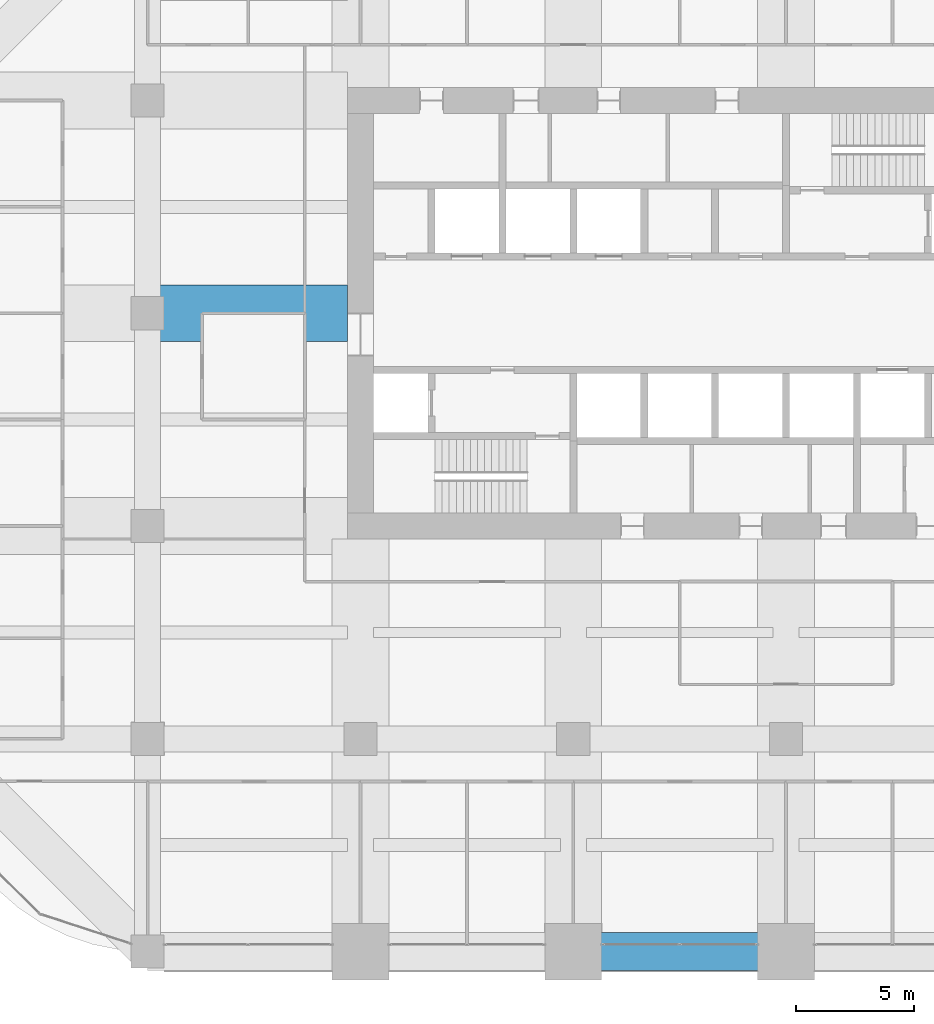
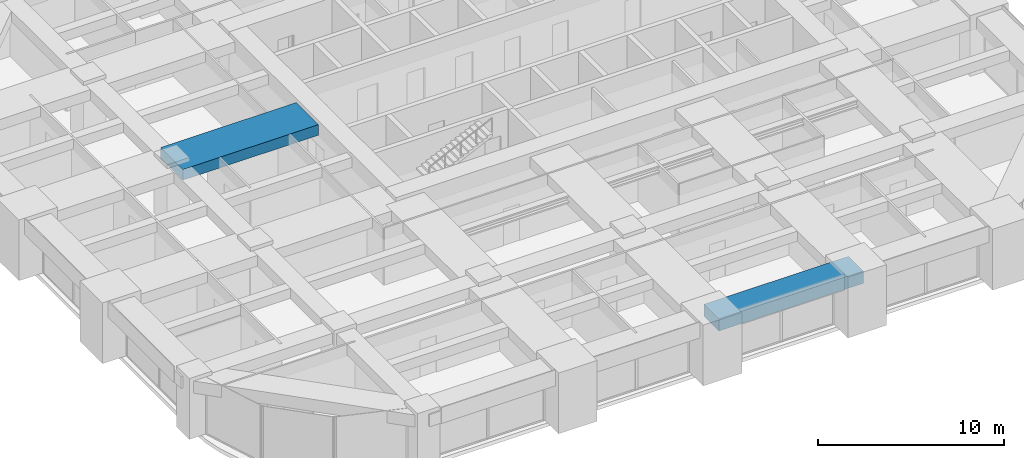
# One storey, part 12 of 35: 2 beams.
"""IFC4 building model written with IfcOpenShell, lengths in metres."""

import ifcopenshell
import ifcopenshell.guid

model = None  # the IFC model being written
_history = None  # IfcOwnerHistory: only IFC2X3 demands one
_inside = {}  # id of a spatial element -> (the spatial element, [elements in it])
_under = {}  # id of a project, library or spatial element -> (it, [spatial elements below it])
_declared = {}  # id of a project -> (the project, [libraries it declares])
_typed = {}  # id of a type object -> (the type object, [elements of that type])
_made_of = {}  # id of a material, layer set ... -> (it, [elements and type objects made of it])


def new_model(schema):
    """Start an empty IFC model of exactly this schema.

    Asked for "IFC4X3", IfcOpenShell would pick the latest addendum, in which some entities
    have other attributes; the version numbers below select the first issue.
    IFC2X3 requires an IfcOwnerHistory on every rooted entity: one is made here for all.
    """
    global model, _history
    if schema == "IFC4X3":
        model = ifcopenshell.file(schema_version=(4, 3, 0, 0))
    else:
        model = ifcopenshell.file(schema=schema)
    _inside.clear()
    _under.clear()
    _declared.clear()
    _typed.clear()
    _made_of.clear()
    _history = None
    if model.schema == "IFC2X3":
        org = make("IfcOrganization", Name="unknown")
        user = make(
            "IfcPersonAndOrganization",
            ThePerson=make("IfcPerson", FamilyName="unknown"),
            TheOrganization=org,
        )
        app = make(
            "IfcApplication",
            ApplicationDeveloper=org,
            Version="unknown",
            ApplicationFullName="unknown",
            ApplicationIdentifier="unknown",
        )
        _history = make(
            "IfcOwnerHistory",
            OwningUser=user,
            OwningApplication=app,
            ChangeAction="ADDED",
            CreationDate=0,
        )
    return model


def make(cls, **values):
    """One entity of the class cls with the attributes given. An attribute that is None is left unset."""
    return model.create_entity(
        cls, **{name: value for name, value in values.items() if value is not None}
    )


def rooted(cls, **values):
    """An entity with a GlobalId (a new one), such as an element, a storey or a relation."""
    return make(cls, GlobalId=ifcopenshell.guid.new(), OwnerHistory=_history, **values)


def si_unit(unit_type, name, prefix=None):
    """IfcSIUnit, for example si_unit("LENGTHUNIT", "METRE", prefix="MILLI")."""
    return make("IfcSIUnit", UnitType=unit_type, Prefix=prefix, Name=name)


def assignment(units):
    """IfcUnitAssignment: the units of a project."""
    return None if units is None else make("IfcUnitAssignment", Units=units)


def point(xyz):
    """IfcCartesianPoint."""
    return None if xyz is None else make("IfcCartesianPoint", Coordinates=xyz)


def direction(xyz):
    """IfcDirection."""
    return None if xyz is None else make("IfcDirection", DirectionRatios=xyz)


def frame(location, z_axis=None, x_axis=None):
    """IfcAxis2Placement3D, a coordinate frame: its origin and axes. An axis left out is left unset."""
    return make(
        "IfcAxis2Placement3D",
        Location=point(location),
        Axis=direction(z_axis),
        RefDirection=direction(x_axis),
    )


def frame_2d(location, x_axis=None):
    """IfcAxis2Placement2D, a coordinate frame in the plane: its origin and x axis."""
    return make(
        "IfcAxis2Placement2D", Location=point(location), RefDirection=direction(x_axis)
    )


def origin():
    """The frame at (0, 0, 0) with its axes left unset."""
    return frame((0.0, 0.0, 0.0))


def origin_2d():
    """The frame at (0, 0) in the plane with its x axis left unset."""
    return frame_2d((0.0, 0.0))


def place(relative_to, where):
    """IfcLocalPlacement: puts the frame where relative to a parent placement (None: the world)."""
    return make(
        "IfcLocalPlacement", PlacementRelTo=relative_to, RelativePlacement=where
    )


def context(
    kind, dimensions, precision=None, world=None, true_north=None, identifier=None
):
    """IfcGeometricRepresentationContext, for example the 3D "Model" context."""
    return make(
        "IfcGeometricRepresentationContext",
        ContextIdentifier=identifier,
        ContextType=kind,
        CoordinateSpaceDimension=dimensions,
        Precision=precision,
        WorldCoordinateSystem=world,
        TrueNorth=true_north,
    )


def subcontext(parent, identifier, kind, view, scale=None):
    """IfcGeometricRepresentationSubContext, for example "Body" below "Model"."""
    return make(
        "IfcGeometricRepresentationSubContext",
        ContextIdentifier=identifier,
        ContextType=kind,
        ParentContext=parent,
        TargetScale=scale,
        TargetView=view,
    )


def project(units=None, contexts=None):
    """IfcProject with its units and contexts."""
    return rooted(
        "IfcProject",
        Name="project",
        RepresentationContexts=contexts,
        UnitsInContext=assignment(units),
    )


def spatial(cls, under=None, at=None, **own):
    """A site, building, storey or space (cls), placed at a placement, below another one or the project."""
    s = rooted(cls, ObjectPlacement=at, **own)
    if under is not None:
        _under.setdefault(under.id(), (under, []))[1].append(s)
    return s


def profile(cls, at=None, kind="AREA", **sizes):
    """A parametric profile (cls). Its sizes go by their IFC names, for example OverallWidth=200.0."""
    return make(cls, ProfileType=kind, Position=at, **sizes)


def rectangle(**sizes):
    """IfcRectangleProfileDef."""
    return profile("IfcRectangleProfileDef", **sizes)


def extrude(swept, where, along, depth):
    """IfcExtrudedAreaSolid: the profile swept, set in the frame where, extruded along a direction by depth."""
    return make(
        "IfcExtrudedAreaSolid",
        SweptArea=swept,
        Position=where,
        ExtrudedDirection=direction(along),
        Depth=depth,
    )


def shape(context_of_items, identifier, shape_type, items):
    """IfcShapeRepresentation: the items that make up one representation, for example the "Body"."""
    return make(
        "IfcShapeRepresentation",
        ContextOfItems=context_of_items,
        RepresentationIdentifier=identifier,
        RepresentationType=shape_type,
        Items=items,
    )


def material(Name=None, Category=None):
    """IfcMaterial."""
    return make("IfcMaterial", Name=Name, Category=Category)


def material_profile(
    of_material, cross_section, Name=None, Category=None, Priority=None
):
    """IfcMaterialProfile: a cross section and its material."""
    return make(
        "IfcMaterialProfile",
        Name=Name,
        Material=of_material,
        Profile=cross_section,
        Priority=Priority,
        Category=Category,
    )


def profile_set(profiles, Name=None, composite=None):
    """IfcMaterialProfileSet."""
    return make(
        "IfcMaterialProfileSet",
        Name=Name,
        MaterialProfiles=profiles,
        CompositeProfile=composite,
    )


def made_of(thing, what):
    """Note that an element or type object is made of a material, layer set ...; save() writes the relation."""
    if what is not None:
        _made_of.setdefault(what.id(), (what, []))[1].append(thing)
    return thing


def type_object(cls, material=None, **own):
    """A type object (cls), such as IfcWallType, which elements share."""
    return made_of(rooted(cls, **own), material)


def element(
    cls,
    number,
    at=None,
    inside=None,
    cuts=None,
    type_object=None,
    material=None,
    context=None,
    identifier="Body",
    shape_type=None,
    held_by="IfcProductDefinitionShape",
    body=None,
    shapes=None,
    **own,
):
    """One element of the class cls, such as IfcWall. Its Tag is "e" and its number.

    at: its placement. inside: the storey or other place that contains it. cuts: it is an
    opening in that element (IfcRelVoidsElement). A single representation is given by context,
    identifier, shape_type and body (its items); several are given by shapes. held_by: the class
    of the entity that holds the representations. save() writes the other relations.
    """
    e = rooted(cls, Tag="e%d" % number, ObjectPlacement=at, **own)
    if body is not None:
        shapes = [shape(context, identifier, shape_type, body)]
    if shapes is not None:
        e.Representation = make(held_by, Representations=shapes)
    if inside is not None:
        _inside.setdefault(inside.id(), (inside, []))[1].append(e)
    if cuts is not None:
        rooted(
            "IfcRelVoidsElement", RelatingBuildingElement=cuts, RelatedOpeningElement=e
        )
    if type_object is not None:
        _typed.setdefault(type_object.id(), (type_object, []))[1].append(e)
    return made_of(e, material)


def aggregate(whole, parts):
    """IfcRelAggregates: a whole, such as a stair, and the parts it consists of."""
    return rooted("IfcRelAggregates", RelatingObject=whole, RelatedObjects=parts)


def save(model, path):
    """Write the relations noted so far, then the file.

    IfcRelAggregates (storeys below a building ...), IfcRelContainedInSpatialStructure (elements
    in a storey), IfcRelDefinesByType, IfcRelAssociatesMaterial and IfcRelDeclares: one each for
    every whole, place, type object, material and project.
    """
    for whole, parts in _under.values():
        aggregate(whole, parts)
    for where, things in _inside.values():
        rooted(
            "IfcRelContainedInSpatialStructure",
            RelatedElements=things,
            RelatingStructure=where,
        )
    for kind, things in _typed.values():
        rooted("IfcRelDefinesByType", RelatedObjects=things, RelatingType=kind)
    for what, things in _made_of.values():
        rooted("IfcRelAssociatesMaterial", RelatedObjects=things, RelatingMaterial=what)
    for by, libraries in _declared.values():
        rooted("IfcRelDeclares", RelatingContext=by, RelatedDefinitions=libraries)
    model.write(path)


model = new_model("IFC4")

# Units and contexts
model_context = context("Model", 3, precision=1e-05, world=origin(), true_north=direction((0.0, 1.0)))
body_context = subcontext(model_context, "Body", "Model", "MODEL_VIEW")
ifc_project = project(units=[si_unit("LENGTHUNIT", "METRE"), si_unit("AREAUNIT", "SQUARE_METRE"), si_unit("VOLUMEUNIT", "CUBIC_METRE"), si_unit("PLANEANGLEUNIT", "RADIAN"), si_unit("MASSUNIT", "GRAM", prefix="KILO")], contexts=[model_context])

# Site, building, storey
site_placement = place(None, origin())
site = spatial("IfcSite", under=ifc_project, at=site_placement, CompositionType="ELEMENT")
building_placement = place(site_placement, origin())
building = spatial("IfcBuilding", under=site, at=building_placement, Name="Zorevar Civic Tower", CompositionType="ELEMENT")
storey_placement = place(building_placement, frame((0.0, 0.0, 222.199951171875)))
storey = spatial("IfcBuildingStorey", under=building, at=storey_placement, Name="L54", CompositionType="ELEMENT", Elevation=222.199951171875)

# Beams
ifc_material_1 = material(Name="Concrete C50/60", Category="concrete")
ifc_material_profile_1 = material_profile(ifc_material_1, rectangle(XDim=2.39990234375, YDim=0.699951171875, at=origin_2d()), Name="RC 2400x700")
ifc_profile_set_1 = profile_set([ifc_material_profile_1], Name="Concrete C50/60")
beam_type_1 = type_object("IfcBeamType", Name="Beam RC 2400x700", PredefinedType="BEAM", material=ifc_profile_set_1)
beam_1_placement = place(storey_placement, frame((9.0, 27.0, 3.400146484375), z_axis=(1.0, 0.0, 0.0), x_axis=(0.0, 1.0, 0.0)))
element("IfcBeam", 1, at=beam_1_placement, inside=storey, type_object=beam_type_1, Name="Girder L55", PredefinedType="BEAM", context=body_context, shape_type="SweptSolid", body=[
    extrude(rectangle(XDim=2.39990234375, YDim=0.699951171875, at=origin_2d()), origin(), (0.0, 0.0, 1.0), 8.449951171875),
])
ifc_material_2 = material(Name="Concrete C50/60", Category="concrete")
ifc_material_profile_2 = material_profile(ifc_material_2, rectangle(XDim=1.60009765625, YDim=0.800048828125, at=origin_2d()), Name="RC 1600x800")
ifc_profile_set_2 = profile_set([ifc_material_profile_2], Name="Concrete C50/60")
beam_type_2 = type_object("IfcBeamType", Name="Edge beam RC 1600x800", PredefinedType="SPANDREL", material=ifc_profile_set_2)
beam_2_placement = place(storey_placement, frame((27.0, 0.0, 3.35009765625), z_axis=(1.0, 0.0, 0.0), x_axis=(0.0, 1.0, 0.0)))
element("IfcBeam", 2, at=beam_2_placement, inside=storey, type_object=beam_type_2, Name="Edge beam L55", PredefinedType="SPANDREL", context=body_context, shape_type="SweptSolid", body=[
    extrude(rectangle(XDim=1.60009765625, YDim=0.800048828125, at=origin_2d()), origin(), (0.0, 0.0, 1.0), 9.0),
])

save(model, "model.ifc")
